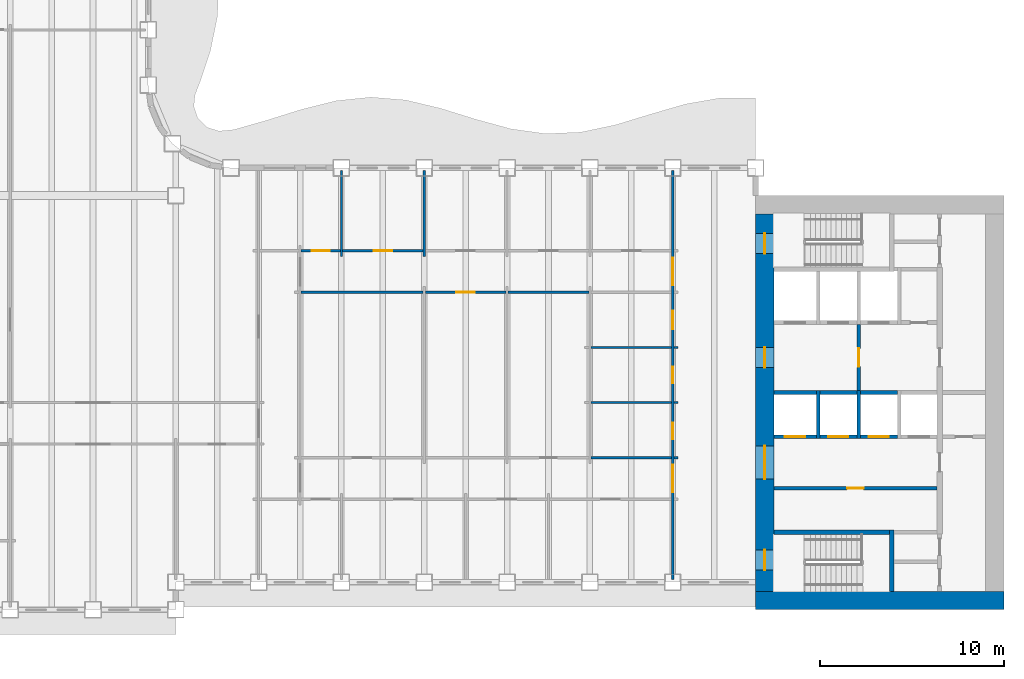
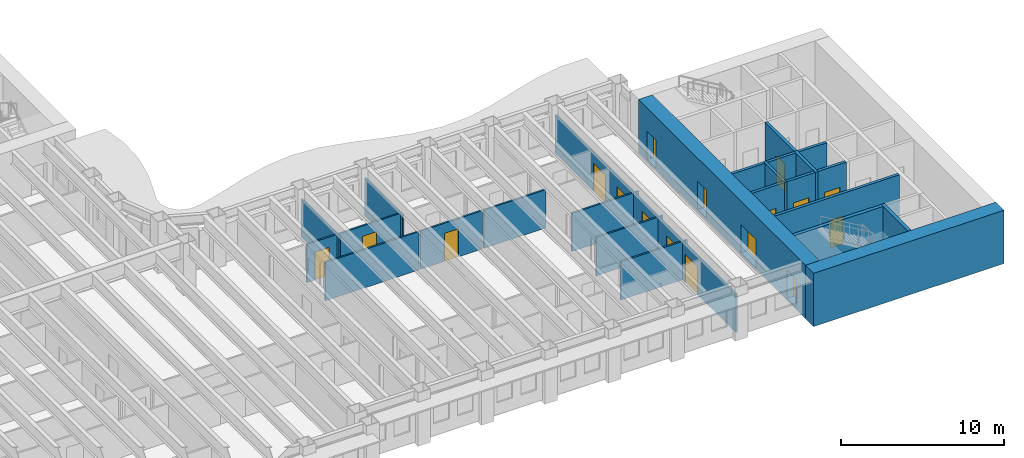
# One storey, part 6 of 16: 28 walls, 17 doors, 17 openings.
"""IFC4 building model written with IfcOpenShell, lengths in metres."""

from ifc_helpers import new_model, si_unit, direction, frame, frame_2d, origin, place, context, subcontext, project, spatial, rectangle, extrude, material, layer, layer_set, type_object, element, fill, save


model = new_model("IFC4")

# Units and contexts
model_context = context("Model", 3, precision=1e-05, world=origin(), true_north=direction((0.0, 1.0)))
body_context = subcontext(model_context, "Body", "Model", "MODEL_VIEW")
ifc_project = project(units=[si_unit("LENGTHUNIT", "METRE"), si_unit("AREAUNIT", "SQUARE_METRE"), si_unit("VOLUMEUNIT", "CUBIC_METRE"), si_unit("PLANEANGLEUNIT", "RADIAN"), si_unit("MASSUNIT", "GRAM", prefix="KILO")], contexts=[model_context])

# Site, building, storey
site_placement = place(None, origin())
site = spatial("IfcSite", under=ifc_project, at=site_placement, CompositionType="ELEMENT")
building_placement = place(site_placement, origin())
building = spatial("IfcBuilding", under=site, at=building_placement, Name="Sennacour Bend Tower", CompositionType="ELEMENT")
storey_placement = place(building_placement, frame((0.0, 0.0, 179.0)))
storey = spatial("IfcBuildingStorey", under=building, at=storey_placement, Name="L41", CompositionType="ELEMENT", Elevation=179.0)

# Wall
ifc_material_1 = material(Name="Concrete C60/75", Category="concrete")
ifc_layer_1 = layer(ifc_material_1, 1.0, Name="Concrete C60/75", Category="concrete")
ifc_layer_set_1 = layer_set([ifc_layer_1], Name="Concrete C60/75")
wall_type_1 = type_object("IfcWallType", Name="Core wall 1000 C60/75", PredefinedType="SHEAR", material=ifc_layer_set_1)
wall_1_placement = place(storey_placement, frame((67.5, 0.5, -0.14990234375), z_axis=(0.0, 0.0, 1.0), x_axis=(-1.0, 0.0, 0.0)))
element("IfcWall", 1, at=wall_1_placement, inside=storey, type_object=wall_type_1, Name="Core A wall L41 S", PredefinedType="SHEAR", context=body_context, shape_type="SweptSolid", body=[
    extrude(rectangle(XDim=13.5, YDim=1.0, at=frame_2d((6.75, 0.0))), origin(), (0.0, 0.0, 1.0), 4.0),
])

# Wall, openings, doors
wall_2_placement = place(storey_placement, frame((54.5, 1.0, -0.14990234375), z_axis=(0.0, 0.0, 1.0), x_axis=(0.0, 1.0, 0.0)))
wall_2 = element("IfcWall", 2, at=wall_2_placement, inside=storey, type_object=wall_type_1, Name="Core A wall L41 W", PredefinedType="SHEAR", context=body_context, shape_type="SweptSolid", body=[
    extrude(rectangle(XDim=20.5, YDim=1.0, at=frame_2d((10.25, 0.0))), origin(), (0.0, 0.0, 1.0), 4.0),
])
opening_1_placement = place(wall_2_placement, frame((6.10009765625, 0.0, 0.14990234375)))
opening_1 = element("IfcOpeningElement", 3, at=opening_1_placement, cuts=wall_2, Name="Opening CD", PredefinedType="OPENING", context=body_context, shape_type="SweptSolid", body=[
    extrude(rectangle(XDim=1.800048828125, YDim=2.10009765625, at=frame_2d((0.89990234375, 1.050048828125))), frame((0.0, 0.510009765625, 0.0), z_axis=(0.0, -1.0, 0.0), x_axis=(1.0, 0.0, 0.0)), (0.0, 0.0, 1.0), 1.02001953125),
])
opening_2_placement = place(wall_2_placement, frame((12.14990234375, 0.0, 0.14990234375)))
opening_2 = element("IfcOpeningElement", 4, at=opening_2_placement, cuts=wall_2, Name="Opening FD", PredefinedType="OPENING", context=body_context, shape_type="SweptSolid", body=[
    extrude(rectangle(XDim=1.10009765625, YDim=2.10009765625, at=frame_2d((0.550048828125, 1.050048828125))), frame((0.0, 0.510009765625, 0.0), z_axis=(0.0, -1.0, 0.0), x_axis=(1.0, 0.0, 0.0)), (0.0, 0.0, 1.0), 1.02001953125),
])
opening_3_placement = place(wall_2_placement, frame((1.14990234375, 0.0, 0.14990234375)))
opening_3 = element("IfcOpeningElement", 5, at=opening_3_placement, cuts=wall_2, Name="Opening SD", PredefinedType="OPENING", context=body_context, shape_type="SweptSolid", body=[
    extrude(rectangle(XDim=1.10009765625, YDim=2.10009765625, at=frame_2d((0.550048828125, 1.050048828125))), frame((0.0, 0.510009765625, 0.0), z_axis=(0.0, -1.0, 0.0), x_axis=(1.0, 0.0, 0.0)), (0.0, 0.0, 1.0), 1.02001953125),
])
opening_4_placement = place(wall_2_placement, frame((18.35009765625, 0.0, 0.14990234375)))
opening_4 = element("IfcOpeningElement", 6, at=opening_4_placement, cuts=wall_2, Name="Opening SD", PredefinedType="OPENING", context=body_context, shape_type="SweptSolid", body=[
    extrude(rectangle(XDim=1.10009765625, YDim=2.10009765625, at=frame_2d((0.550048828125, 1.050048828125))), frame((0.0, 0.510009765625, 0.0), z_axis=(0.0, -1.0, 0.0), x_axis=(1.0, 0.0, 0.0)), (0.0, 0.0, 1.0), 1.02001953125),
])
ifc_material_2 = material(Name="Painted steel", Category="steel")
door_type_1 = type_object("IfcDoorType", Name="DR-FFL-1100", OperationType="NOTDEFINED", PredefinedType="DOOR", material=ifc_material_2)
door_1_placement = place(opening_2_placement, origin())
door_1 = element("IfcDoor", 7, at=door_1_placement, inside=storey, type_object=door_type_1, Name="Door", OperationType="SINGLE_SWING_RIGHT", OverallHeight=2.10009765625, OverallWidth=1.10009765625, PredefinedType="DOOR", context=body_context, shape_type="SweptSolid", body=[
    extrude(rectangle(XDim=1.10009765625, YDim=2.10009765625, at=frame_2d((0.550048828125, 1.050048828125))), frame((0.0, 0.02490234375, 0.0), z_axis=(0.0, -1.0, 0.0), x_axis=(1.0, 0.0, 0.0)), (0.0, 0.0, 1.0), 0.050048828125),
])
fill(opening_2, door_1)
door_type_2 = type_object("IfcDoorType", Name="DR-LOBBY-1800", OperationType="NOTDEFINED", PredefinedType="DOOR", material=ifc_material_2)
door_2_placement = place(opening_1_placement, origin())
door_2 = element("IfcDoor", 8, at=door_2_placement, inside=storey, type_object=door_type_2, Name="Door", OperationType="DOUBLE_DOOR_SINGLE_SWING", OverallHeight=2.10009765625, OverallWidth=1.800048828125, PredefinedType="DOOR", context=body_context, shape_type="SweptSolid", body=[
    extrude(rectangle(XDim=1.800048828125, YDim=2.10009765625, at=frame_2d((0.89990234375, 1.050048828125))), frame((0.0, 0.02490234375, 0.0), z_axis=(0.0, -1.0, 0.0), x_axis=(1.0, 0.0, 0.0)), (0.0, 0.0, 1.0), 0.050048828125),
])
fill(opening_1, door_2)
door_type_3 = type_object("IfcDoorType", Name="DR-STAIR-1100", OperationType="NOTDEFINED", PredefinedType="DOOR", material=ifc_material_2)
door_3_placement = place(opening_3_placement, origin())
door_3 = element("IfcDoor", 9, at=door_3_placement, inside=storey, type_object=door_type_3, Name="Door", OperationType="SINGLE_SWING_LEFT", OverallHeight=2.10009765625, OverallWidth=1.10009765625, PredefinedType="DOOR", context=body_context, shape_type="SweptSolid", body=[
    extrude(rectangle(XDim=1.10009765625, YDim=2.10009765625, at=frame_2d((0.550048828125, 1.050048828125))), frame((0.0, 0.02490234375, 0.0), z_axis=(0.0, -1.0, 0.0), x_axis=(1.0, 0.0, 0.0)), (0.0, 0.0, 1.0), 0.050048828125),
])
fill(opening_3, door_3)
door_4_placement = place(opening_4_placement, origin())
door_4 = element("IfcDoor", 10, at=door_4_placement, inside=storey, type_object=door_type_3, Name="Door", OperationType="SINGLE_SWING_RIGHT", OverallHeight=2.10009765625, OverallWidth=1.10009765625, PredefinedType="DOOR", context=body_context, shape_type="SweptSolid", body=[
    extrude(rectangle(XDim=1.10009765625, YDim=2.10009765625, at=frame_2d((0.550048828125, 1.050048828125))), frame((0.0, 0.02490234375, 0.0), z_axis=(0.0, -1.0, 0.0), x_axis=(1.0, 0.0, 0.0)), (0.0, 0.0, 1.0), 0.050048828125),
])
fill(opening_4, door_4)

# Walls
ifc_material_3 = material(Name="Plasterboard partition on steel studs", Category="steel")
ifc_layer_2 = layer(ifc_material_3, 0.1201171875, Name="Plasterboard partition on steel studs", Category="steel")
ifc_layer_set_2 = layer_set([ifc_layer_2], Name="Plasterboard partition on steel studs")
wall_type_2 = type_object("IfcWallType", Name="Partition 120", PredefinedType="PARTITIONING", material=ifc_layer_set_2)
for number, where, z_axis, x_axis, name in (
    (11, (31.5, 19.199951171875, 0.0), (0.0, 0.0, 1.0), (0.0, 1.0, 0.0), "P-L41-W029a"),
    (12, (36.0, 19.199951171875, 0.0), (0.0, 0.0, 1.0), (0.0, 1.0, 0.0), "P-L41-W031a"),
):
    element("IfcWall", number, at=place(storey_placement, frame(where, z_axis=z_axis, x_axis=x_axis)), inside=storey, type_object=wall_type_2, Name=name, PredefinedType="PARTITIONING", context=body_context, shape_type="SweptSolid", body=[
        extrude(rectangle(XDim=4.650146484375, YDim=0.1201171875, at=frame_2d((2.3251953125, 0.0))), origin(), (0.0, 0.0, 1.0), 2.8701171875),
    ])
wall_3_placement = place(storey_placement, frame((45.06005859375, 8.25, 0.0), z_axis=(0.0, 0.0, 1.0), x_axis=(1.0, 0.0, 0.0)))
element("IfcWall", 13, at=wall_3_placement, inside=storey, type_object=wall_type_2, Name="P-L41-W063ae", PredefinedType="PARTITIONING", context=body_context, shape_type="SweptSolid", body=[
    extrude(rectangle(XDim=4.3798828125, YDim=0.1201171875, at=frame_2d((2.18994140625, 0.0))), origin(), (0.0, 0.0, 1.0), 2.8701171875),
])
wall_4_placement = place(storey_placement, frame((49.56005859375, 8.25, 0.0), z_axis=(0.0, 0.0, 1.0), x_axis=(1.0, 0.0, 0.0)))
element("IfcWall", 14, at=wall_4_placement, inside=storey, type_object=wall_type_2, Name="P-L41-W063af", PredefinedType="PARTITIONING", context=body_context, shape_type="SweptSolid", body=[
    extrude(rectangle(XDim=0.239990234375, YDim=0.1201171875, at=frame_2d((0.1201171875, 0.0))), origin(), (0.0, 0.0, 1.0), 2.8701171875),
])
wall_5_placement = place(storey_placement, frame((45.06005859375, 11.25, 0.0), z_axis=(0.0, 0.0, 1.0), x_axis=(1.0, 0.0, 0.0)))
element("IfcWall", 15, at=wall_5_placement, inside=storey, type_object=wall_type_2, Name="P-L41-W068ab", PredefinedType="PARTITIONING", context=body_context, shape_type="SweptSolid", body=[
    extrude(rectangle(XDim=4.3798828125, YDim=0.1201171875, at=frame_2d((2.18994140625, 0.0))), origin(), (0.0, 0.0, 1.0), 2.8701171875),
])
wall_6_placement = place(storey_placement, frame((49.56005859375, 11.25, 0.0), z_axis=(0.0, 0.0, 1.0), x_axis=(1.0, 0.0, 0.0)))
element("IfcWall", 16, at=wall_6_placement, inside=storey, type_object=wall_type_2, Name="P-L41-W068ac", PredefinedType="PARTITIONING", context=body_context, shape_type="SweptSolid", body=[
    extrude(rectangle(XDim=0.239990234375, YDim=0.1201171875, at=frame_2d((0.1201171875, 0.0))), origin(), (0.0, 0.0, 1.0), 2.8701171875),
])
wall_7_placement = place(storey_placement, frame((45.06005859375, 14.25, 0.0), z_axis=(0.0, 0.0, 1.0), x_axis=(1.0, 0.0, 0.0)))
element("IfcWall", 17, at=wall_7_placement, inside=storey, type_object=wall_type_2, Name="P-L41-W071ab", PredefinedType="PARTITIONING", context=body_context, shape_type="SweptSolid", body=[
    extrude(rectangle(XDim=4.3798828125, YDim=0.1201171875, at=frame_2d((2.18994140625, 0.0))), origin(), (0.0, 0.0, 1.0), 2.8701171875),
])
wall_8_placement = place(storey_placement, frame((49.56005859375, 14.25, 0.0), z_axis=(0.0, 0.0, 1.0), x_axis=(1.0, 0.0, 0.0)))
element("IfcWall", 18, at=wall_8_placement, inside=storey, type_object=wall_type_2, Name="P-L41-W071ac", PredefinedType="PARTITIONING", context=body_context, shape_type="SweptSolid", body=[
    extrude(rectangle(XDim=0.239990234375, YDim=0.1201171875, at=frame_2d((0.1201171875, 0.0))), origin(), (0.0, 0.0, 1.0), 2.8701171875),
])
wall_9_placement = place(storey_placement, frame((29.31005859375, 17.25, 0.0), z_axis=(0.0, 0.0, 1.0), x_axis=(1.0, 0.0, 0.0)))
element("IfcWall", 19, at=wall_9_placement, inside=storey, type_object=wall_type_2, Name="P-L41-W075ab", PredefinedType="PARTITIONING", context=body_context, shape_type="SweptSolid", body=[
    extrude(rectangle(XDim=6.6298828125, YDim=0.1201171875, at=frame_2d((3.31494140625, 0.0))), origin(), (0.0, 0.0, 1.0), 2.8701171875),
])

# Wall, opening, door
wall_10_placement = place(storey_placement, frame((36.06005859375, 17.25, 0.0), z_axis=(0.0, 0.0, 1.0), x_axis=(1.0, 0.0, 0.0)))
wall_10 = element("IfcWall", 20, at=wall_10_placement, inside=storey, type_object=wall_type_2, Name="P-L41-W075ac", PredefinedType="PARTITIONING", context=body_context, shape_type="SweptSolid", body=[
    extrude(rectangle(XDim=4.3798828125, YDim=0.1201171875, at=frame_2d((2.18994140625, 0.0))), origin(), (0.0, 0.0, 1.0), 2.8701171875),
])
opening_5_placement = place(wall_10_placement, frame((1.68994140625, 0.0, 0.0)))
opening_5 = element("IfcOpeningElement", 21, at=opening_5_placement, cuts=wall_10, Name="Opening OD2", PredefinedType="OPENING", context=body_context, shape_type="SweptSolid", body=[
    extrude(rectangle(XDim=1.0, YDim=2.10009765625, at=frame_2d((0.5, 1.050048828125))), frame((0.0, 0.070068359375, 0.0), z_axis=(0.0, -1.0, 0.0), x_axis=(1.0, 0.0, 0.0)), (0.0, 0.0, 1.0), 0.14013671875),
])
ifc_material_4 = material(Name="Timber", Category="wood")
door_type_4 = type_object("IfcDoorType", Name="DR-OFFICE-1000", OperationType="NOTDEFINED", PredefinedType="DOOR", material=ifc_material_4)
door_5_placement = place(opening_5_placement, origin())
door_5 = element("IfcDoor", 22, at=door_5_placement, inside=storey, type_object=door_type_4, Name="Door", OperationType="SINGLE_SWING_LEFT", OverallHeight=2.10009765625, OverallWidth=1.0, PredefinedType="DOOR", context=body_context, shape_type="SweptSolid", body=[
    extrude(rectangle(XDim=1.0, YDim=2.10009765625, at=frame_2d((0.5, 1.050048828125))), frame((0.0, 0.02490234375, 0.0), z_axis=(0.0, -1.0, 0.0), x_axis=(1.0, 0.0, 0.0)), (0.0, 0.0, 1.0), 0.050048828125),
])
fill(opening_5, door_5)

# Wall
wall_11_placement = place(storey_placement, frame((40.56005859375, 17.25, 0.0), z_axis=(0.0, 0.0, 1.0), x_axis=(1.0, 0.0, 0.0)))
element("IfcWall", 23, at=wall_11_placement, inside=storey, type_object=wall_type_2, Name="P-L41-W075ad", PredefinedType="PARTITIONING", context=body_context, shape_type="SweptSolid", body=[
    extrude(rectangle(XDim=4.3798828125, YDim=0.1201171875, at=frame_2d((2.18994140625, 0.0))), origin(), (0.0, 0.0, 1.0), 2.8701171875),
])

# Wall, opening, door
wall_12_placement = place(storey_placement, frame((29.31005859375, 19.5, 0.0), z_axis=(0.0, 0.0, 1.0), x_axis=(1.0, 0.0, 0.0)))
wall_12 = element("IfcWall", 24, at=wall_12_placement, inside=storey, type_object=wall_type_2, Name="P-L41-W079ac", PredefinedType="PARTITIONING", context=body_context, shape_type="SweptSolid", body=[
    extrude(rectangle(XDim=2.1298828125, YDim=0.1201171875, at=frame_2d((1.06494140625, 0.0))), origin(), (0.0, 0.0, 1.0), 2.8701171875),
])
opening_6_placement = place(wall_12_placement, frame((0.56494140625, 0.0, 0.0)))
opening_6 = element("IfcOpeningElement", 25, at=opening_6_placement, cuts=wall_12, Name="Opening OD2", PredefinedType="OPENING", context=body_context, shape_type="SweptSolid", body=[
    extrude(rectangle(XDim=1.0, YDim=2.10009765625, at=frame_2d((0.5, 1.050048828125))), frame((0.0, 0.070068359375, 0.0), z_axis=(0.0, -1.0, 0.0), x_axis=(1.0, 0.0, 0.0)), (0.0, 0.0, 1.0), 0.14013671875),
])
door_6_placement = place(opening_6_placement, origin())
door_6 = element("IfcDoor", 26, at=door_6_placement, inside=storey, type_object=door_type_4, Name="Door", OperationType="SINGLE_SWING_LEFT", OverallHeight=2.10009765625, OverallWidth=1.0, PredefinedType="DOOR", context=body_context, shape_type="SweptSolid", body=[
    extrude(rectangle(XDim=1.0, YDim=2.10009765625, at=frame_2d((0.5, 1.050048828125))), frame((0.0, 0.02490234375, 0.0), z_axis=(0.0, -1.0, 0.0), x_axis=(1.0, 0.0, 0.0)), (0.0, 0.0, 1.0), 0.050048828125),
])
fill(opening_6, door_6)

wall_13_placement = place(storey_placement, frame((31.56005859375, 19.5, 0.0), z_axis=(0.0, 0.0, 1.0), x_axis=(1.0, 0.0, 0.0)))
wall_13 = element("IfcWall", 27, at=wall_13_placement, inside=storey, type_object=wall_type_2, Name="P-L41-W079ad", PredefinedType="PARTITIONING", context=body_context, shape_type="SweptSolid", body=[
    extrude(rectangle(XDim=4.3798828125, YDim=0.1201171875, at=frame_2d((2.18994140625, 0.0))), origin(), (0.0, 0.0, 1.0), 2.8701171875),
])
opening_7_placement = place(wall_13_placement, frame((1.68994140625, 0.0, 0.0)))
opening_7 = element("IfcOpeningElement", 28, at=opening_7_placement, cuts=wall_13, Name="Opening OD2", PredefinedType="OPENING", context=body_context, shape_type="SweptSolid", body=[
    extrude(rectangle(XDim=1.0, YDim=2.10009765625, at=frame_2d((0.5, 1.050048828125))), frame((0.0, 0.070068359375, 0.0), z_axis=(0.0, -1.0, 0.0), x_axis=(1.0, 0.0, 0.0)), (0.0, 0.0, 1.0), 0.14013671875),
])
door_7_placement = place(opening_7_placement, origin())
door_7 = element("IfcDoor", 29, at=door_7_placement, inside=storey, type_object=door_type_4, Name="Door", OperationType="SINGLE_SWING_LEFT", OverallHeight=2.10009765625, OverallWidth=1.0, PredefinedType="DOOR", context=body_context, shape_type="SweptSolid", body=[
    extrude(rectangle(XDim=1.0, YDim=2.10009765625, at=frame_2d((0.5, 1.050048828125))), frame((0.0, 0.02490234375, 0.0), z_axis=(0.0, -1.0, 0.0), x_axis=(1.0, 0.0, 0.0)), (0.0, 0.0, 1.0), 0.050048828125),
])
fill(opening_7, door_7)

# Wall, openings, doors
ifc_layer_3 = layer(ifc_material_3, 0.1201171875, Name="Plasterboard partition on steel studs", Category="steel")
ifc_layer_set_3 = layer_set([ifc_layer_3], Name="Plasterboard partition on steel studs")
wall_type_3 = type_object("IfcWallType", Name="Partition 120 EI 30", PredefinedType="PARTITIONING", material=ifc_layer_set_3)
wall_14_placement = place(storey_placement, frame((49.5, 1.64990234375, 0.0), z_axis=(0.0, 0.0, 1.0), x_axis=(0.0, 1.0, 0.0)))
wall_14 = element("IfcWall", 30, at=wall_14_placement, inside=storey, type_object=wall_type_3, Name="P-L41-W038a", PredefinedType="PARTITIONING", context=body_context, shape_type="SweptSolid", body=[
    extrude(rectangle(XDim=22.2001953125, YDim=0.1201171875, at=frame_2d((11.10009765625, 0.0))), origin(), (0.0, 0.0, 1.0), 2.8701171875),
])
opening_8_placement = place(wall_14_placement, frame((4.72509765625, 0.0, 0.0)))
opening_8 = element("IfcOpeningElement", 31, at=opening_8_placement, cuts=wall_14, Name="Opening KD", PredefinedType="OPENING", context=body_context, shape_type="SweptSolid", body=[
    extrude(rectangle(XDim=1.5, YDim=2.10009765625, at=frame_2d((0.75, 1.050048828125))), frame((0.0, 0.070068359375, 0.0), z_axis=(0.0, -1.0, 0.0), x_axis=(1.0, 0.0, 0.0)), (0.0, 0.0, 1.0), 0.14013671875),
])
opening_9_placement = place(wall_14_placement, frame((15.97509765625, 0.0, 0.0)))
opening_9 = element("IfcOpeningElement", 32, at=opening_9_placement, cuts=wall_14, Name="Opening KD", PredefinedType="OPENING", context=body_context, shape_type="SweptSolid", body=[
    extrude(rectangle(XDim=1.5, YDim=2.10009765625, at=frame_2d((0.75, 1.050048828125))), frame((0.0, 0.070068359375, 0.0), z_axis=(0.0, -1.0, 0.0), x_axis=(1.0, 0.0, 0.0)), (0.0, 0.0, 1.0), 0.14013671875),
])
opening_10_placement = place(wall_14_placement, frame((7.60009765625, 0.0, 0.0)))
opening_10 = element("IfcOpeningElement", 33, at=opening_10_placement, cuts=wall_14, Name="Opening WD", PredefinedType="OPENING", context=body_context, shape_type="SweptSolid", body=[
    extrude(rectangle(XDim=0.89990234375, YDim=2.10009765625, at=frame_2d((0.449951171875, 1.050048828125))), frame((0.0, 0.070068359375, 0.0), z_axis=(0.0, -1.0, 0.0), x_axis=(1.0, 0.0, 0.0)), (0.0, 0.0, 1.0), 0.14013671875),
])
opening_11_placement = place(wall_14_placement, frame((10.650146484375, 0.0, 0.0)))
opening_11 = element("IfcOpeningElement", 34, at=opening_11_placement, cuts=wall_14, Name="Opening WD", PredefinedType="OPENING", context=body_context, shape_type="SweptSolid", body=[
    extrude(rectangle(XDim=0.89990234375, YDim=2.10009765625, at=frame_2d((0.449951171875, 1.050048828125))), frame((0.0, 0.070068359375, 0.0), z_axis=(0.0, -1.0, 0.0), x_axis=(1.0, 0.0, 0.0)), (0.0, 0.0, 1.0), 0.14013671875),
])
opening_12_placement = place(wall_14_placement, frame((13.60009765625, 0.0, 0.0)))
opening_12 = element("IfcOpeningElement", 35, at=opening_12_placement, cuts=wall_14, Name="Opening AD", PredefinedType="OPENING", context=body_context, shape_type="SweptSolid", body=[
    extrude(rectangle(XDim=1.0, YDim=2.10009765625, at=frame_2d((0.5, 1.050048828125))), frame((0.0, 0.070068359375, 0.0), z_axis=(0.0, -1.0, 0.0), x_axis=(1.0, 0.0, 0.0)), (0.0, 0.0, 1.0), 0.14013671875),
])
door_type_5 = type_object("IfcDoorType", Name="DR-ACC-WC-1000", OperationType="NOTDEFINED", PredefinedType="DOOR", material=ifc_material_4)
door_8_placement = place(opening_12_placement, origin())
door_8 = element("IfcDoor", 36, at=door_8_placement, inside=storey, type_object=door_type_5, Name="Door", OperationType="SINGLE_SWING_RIGHT", OverallHeight=2.10009765625, OverallWidth=1.0, PredefinedType="DOOR", context=body_context, shape_type="SweptSolid", body=[
    extrude(rectangle(XDim=1.0, YDim=2.10009765625, at=frame_2d((0.5, 1.050048828125))), frame((0.0, 0.02490234375, 0.0), z_axis=(0.0, -1.0, 0.0), x_axis=(1.0, 0.0, 0.0)), (0.0, 0.0, 1.0), 0.050048828125),
])
fill(opening_12, door_8)
door_type_6 = type_object("IfcDoorType", Name="DR-CORRIDOR-1500", OperationType="NOTDEFINED", PredefinedType="DOOR", material=ifc_material_2)
door_9_placement = place(opening_8_placement, origin())
door_9 = element("IfcDoor", 37, at=door_9_placement, inside=storey, type_object=door_type_6, Name="Door", OperationType="SINGLE_SWING_LEFT", OverallHeight=2.10009765625, OverallWidth=1.5, PredefinedType="DOOR", context=body_context, shape_type="SweptSolid", body=[
    extrude(rectangle(XDim=1.5, YDim=2.10009765625, at=frame_2d((0.75, 1.050048828125))), frame((0.0, 0.02490234375, 0.0), z_axis=(0.0, -1.0, 0.0), x_axis=(1.0, 0.0, 0.0)), (0.0, 0.0, 1.0), 0.050048828125),
])
fill(opening_8, door_9)
door_10_placement = place(opening_9_placement, origin())
door_10 = element("IfcDoor", 38, at=door_10_placement, inside=storey, type_object=door_type_6, Name="Door", OperationType="SINGLE_SWING_RIGHT", OverallHeight=2.10009765625, OverallWidth=1.5, PredefinedType="DOOR", context=body_context, shape_type="SweptSolid", body=[
    extrude(rectangle(XDim=1.5, YDim=2.10009765625, at=frame_2d((0.75, 1.050048828125))), frame((0.0, 0.02490234375, 0.0), z_axis=(0.0, -1.0, 0.0), x_axis=(1.0, 0.0, 0.0)), (0.0, 0.0, 1.0), 0.050048828125),
])
fill(opening_9, door_10)
door_type_7 = type_object("IfcDoorType", Name="DR-WC-900", OperationType="NOTDEFINED", PredefinedType="DOOR", material=ifc_material_4)
door_11_placement = place(opening_10_placement, origin())
door_11 = element("IfcDoor", 39, at=door_11_placement, inside=storey, type_object=door_type_7, Name="Door", OperationType="SINGLE_SWING_LEFT", OverallHeight=2.10009765625, OverallWidth=0.89990234375, PredefinedType="DOOR", context=body_context, shape_type="SweptSolid", body=[
    extrude(rectangle(XDim=0.89990234375, YDim=2.10009765625, at=frame_2d((0.449951171875, 1.050048828125))), frame((0.0, 0.02490234375, 0.0), z_axis=(0.0, -1.0, 0.0), x_axis=(1.0, 0.0, 0.0)), (0.0, 0.0, 1.0), 0.050048828125),
])
fill(opening_10, door_11)
door_12_placement = place(opening_11_placement, origin())
door_12 = element("IfcDoor", 40, at=door_12_placement, inside=storey, type_object=door_type_7, Name="Door", OperationType="SINGLE_SWING_RIGHT", OverallHeight=2.10009765625, OverallWidth=0.89990234375, PredefinedType="DOOR", context=body_context, shape_type="SweptSolid", body=[
    extrude(rectangle(XDim=0.89990234375, YDim=2.10009765625, at=frame_2d((0.449951171875, 1.050048828125))), frame((0.0, 0.02490234375, 0.0), z_axis=(0.0, -1.0, 0.0), x_axis=(1.0, 0.0, 0.0)), (0.0, 0.0, 1.0), 0.050048828125),
])
fill(opening_11, door_12)

# Wall, opening, door
ifc_material_5 = material(Name="Fire-rated plasterboard partition on steel studs", Category="steel")
ifc_layer_4 = layer(ifc_material_5, 0.199951171875, Name="Fire-rated plasterboard partition on steel studs", Category="steel")
ifc_layer_set_4 = layer_set([ifc_layer_4], Name="Fire-rated plasterboard partition on steel studs")
wall_type_4 = type_object("IfcWallType", Name="Rated partition 200", PredefinedType="PARTITIONING", material=ifc_layer_set_4)
wall_15_placement = place(storey_placement, frame((55.0, 6.60009765625, 0.0), z_axis=(0.0, 0.0, 1.0), x_axis=(1.0, 0.0, 0.0)))
wall_15 = element("IfcWall", 41, at=wall_15_placement, inside=storey, type_object=wall_type_4, Name="P-L41-W062", PredefinedType="PARTITIONING", context=body_context, shape_type="SweptSolid", body=[
    extrude(rectangle(XDim=8.85009765625, YDim=0.199951171875, at=frame_2d((4.425048828125, 0.0))), origin(), (0.0, 0.0, 1.0), 3.85009765625),
])
opening_13_placement = place(wall_15_placement, frame((3.97509765625, 0.0, 0.0)))
opening_13 = element("IfcOpeningElement", 42, at=opening_13_placement, cuts=wall_15, Name="Opening SV", PredefinedType="OPENING", context=body_context, shape_type="SweptSolid", body=[
    extrude(rectangle(XDim=0.89990234375, YDim=2.10009765625, at=frame_2d((0.449951171875, 1.050048828125))), frame((0.0, 0.10986328125, 0.0), z_axis=(0.0, -1.0, 0.0), x_axis=(1.0, 0.0, 0.0)), (0.0, 0.0, 1.0), 0.219970703125),
])
door_type_8 = type_object("IfcDoorType", Name="DR-SERVICE-900", OperationType="NOTDEFINED", PredefinedType="DOOR", material=ifc_material_2)
door_13_placement = place(opening_13_placement, origin())
door_13 = element("IfcDoor", 43, at=door_13_placement, inside=storey, type_object=door_type_8, Name="Door", OperationType="SINGLE_SWING_LEFT", OverallHeight=2.10009765625, OverallWidth=0.89990234375, PredefinedType="DOOR", context=body_context, shape_type="SweptSolid", body=[
    extrude(rectangle(XDim=0.89990234375, YDim=2.10009765625, at=frame_2d((0.449951171875, 1.050048828125))), frame((0.0, 0.02490234375, 0.0), z_axis=(0.0, -1.0, 0.0), x_axis=(1.0, 0.0, 0.0)), (0.0, 0.0, 1.0), 0.050048828125),
])
fill(opening_13, door_13)

ifc_layer_5 = layer(ifc_material_5, 0.199951171875, Name="Fire-rated plasterboard partition on steel studs", Category="steel")
ifc_layer_set_5 = layer_set([ifc_layer_5], Name="Fire-rated plasterboard partition on steel studs")
wall_type_5 = type_object("IfcWallType", Name="Rated partition 200 EI 90", PredefinedType="PARTITIONING", material=ifc_layer_set_5)
wall_16_placement = place(storey_placement, frame((59.60009765625, 11.89990234375, 0.0), z_axis=(0.0, 0.0, 1.0), x_axis=(0.0, 1.0, 0.0)))
wall_16 = element("IfcWall", 44, at=wall_16_placement, inside=storey, type_object=wall_type_5, Name="P-L41-W043", PredefinedType="PARTITIONING", context=body_context, shape_type="SweptSolid", body=[
    extrude(rectangle(XDim=3.60009765625, YDim=0.199951171875, at=frame_2d((1.800048828125, 0.0))), origin(), (0.0, 0.0, 1.0), 3.85009765625),
])
opening_14_placement = place(wall_16_placement, frame((1.300048828125, 0.0, 0.0)))
opening_14 = element("IfcOpeningElement", 45, at=opening_14_placement, cuts=wall_16, Name="Opening FD2", PredefinedType="OPENING", context=body_context, shape_type="SweptSolid", body=[
    extrude(rectangle(XDim=1.0, YDim=2.10009765625, at=frame_2d((0.5, 1.050048828125))), frame((0.0, 0.10986328125, 0.0), z_axis=(0.0, -1.0, 0.0), x_axis=(1.0, 0.0, 0.0)), (0.0, 0.0, 1.0), 0.219970703125),
])
door_type_9 = type_object("IfcDoorType", Name="DR-FFL-1000", OperationType="NOTDEFINED", PredefinedType="DOOR", material=ifc_material_2)
door_14_placement = place(opening_14_placement, origin())
door_14 = element("IfcDoor", 46, at=door_14_placement, inside=storey, type_object=door_type_9, Name="Door", OperationType="SINGLE_SWING_LEFT", OverallHeight=2.10009765625, OverallWidth=1.0, PredefinedType="DOOR", context=body_context, shape_type="SweptSolid", body=[
    extrude(rectangle(XDim=1.0, YDim=2.10009765625, at=frame_2d((0.5, 1.050048828125))), frame((0.0, 0.02490234375, 0.0), z_axis=(0.0, -1.0, 0.0), x_axis=(1.0, 0.0, 0.0)), (0.0, 0.0, 1.0), 0.050048828125),
])
fill(opening_14, door_14)

# Walls
ifc_material_6 = material(Name="Concrete C50/60", Category="concrete")
ifc_layer_6 = layer(ifc_material_6, 0.199951171875, Name="Concrete C50/60", Category="concrete")
ifc_layer_set_6 = layer_set([ifc_layer_6], Name="Concrete C50/60")
wall_type_6 = type_object("IfcWallType", Name="Shaft wall 200", PredefinedType="SOLIDWALL", material=ifc_layer_set_6)
for number, where, z_axis, x_axis, name in (
    (47, (57.39990234375, 9.300048828125, 0.0), (0.0, 0.0, 1.0), (0.0, 1.0, 0.0), "P-L41-W040"),
    (48, (59.60009765625, 9.300048828125, 0.0), (0.0, 0.0, 1.0), (0.0, 1.0, 0.0), "P-L41-W042"),
):
    element("IfcWall", number, at=place(storey_placement, frame(where, z_axis=z_axis, x_axis=x_axis)), inside=storey, type_object=wall_type_6, Name=name, PredefinedType="SOLIDWALL", context=body_context, shape_type="SweptSolid", body=[
        extrude(rectangle(XDim=2.599853515625, YDim=0.199951171875, at=frame_2d((1.2998046875, 0.0))), origin(), (0.0, 0.0, 1.0), 3.85009765625),
    ])

# Wall, opening, door
wall_17_placement = place(storey_placement, frame((55.0, 9.39990234375, 0.0), z_axis=(0.0, 0.0, 1.0), x_axis=(1.0, 0.0, 0.0)))
wall_17 = element("IfcWall", 49, at=wall_17_placement, inside=storey, type_object=wall_type_6, Name="P-L41-W065a", PredefinedType="SOLIDWALL", context=body_context, shape_type="SweptSolid", body=[
    extrude(rectangle(XDim=2.300048828125, YDim=0.199951171875, at=frame_2d((1.14990234375, 0.0))), origin(), (0.0, 0.0, 1.0), 3.85009765625),
])
opening_15_placement = place(wall_17_placement, frame((0.60009765625, 0.0, 0.011962890625)))
opening_15 = element("IfcOpeningElement", 50, at=opening_15_placement, cuts=wall_17, Name="Opening LD", PredefinedType="OPENING", context=body_context, shape_type="SweptSolid", body=[
    extrude(rectangle(XDim=1.10009765625, YDim=2.10009765625, at=frame_2d((0.550048828125, 1.050048828125))), frame((0.0, 0.10986328125, 0.0), z_axis=(0.0, -1.0, 0.0), x_axis=(1.0, 0.0, 0.0)), (0.0, 0.0, 1.0), 0.219970703125),
])
ifc_material_7 = material(Name="Stainless steel", Category="steel")
door_type_10 = type_object("IfcDoorType", Name="DR-LANDING-1100", OperationType="NOTDEFINED", PredefinedType="DOOR", material=ifc_material_7)
door_15_placement = place(opening_15_placement, origin())
door_15 = element("IfcDoor", 51, at=door_15_placement, inside=storey, type_object=door_type_10, Name="Lift landing door HA1", OperationType="SLIDING_TO_LEFT", OverallHeight=2.10009765625, OverallWidth=1.10009765625, PredefinedType="DOOR", context=body_context, shape_type="SweptSolid", body=[
    extrude(rectangle(XDim=1.10009765625, YDim=2.10009765625, at=frame_2d((0.550048828125, 1.050048828125))), frame((0.0, 0.02490234375, 0.0), z_axis=(0.0, -1.0, 0.0), x_axis=(1.0, 0.0, 0.0)), (0.0, 0.0, 1.0), 0.050048828125),
])
fill(opening_15, door_15)

wall_18_placement = place(storey_placement, frame((57.5, 9.39990234375, 0.0), z_axis=(0.0, 0.0, 1.0), x_axis=(1.0, 0.0, 0.0)))
wall_18 = element("IfcWall", 52, at=wall_18_placement, inside=storey, type_object=wall_type_6, Name="P-L41-W065b", PredefinedType="SOLIDWALL", context=body_context, shape_type="SweptSolid", body=[
    extrude(rectangle(XDim=2.0, YDim=0.199951171875, at=frame_2d((1.0, 0.0))), origin(), (0.0, 0.0, 1.0), 3.85009765625),
])
opening_16_placement = place(wall_18_placement, frame((0.449951171875, 0.0, 0.011962890625)))
opening_16 = element("IfcOpeningElement", 53, at=opening_16_placement, cuts=wall_18, Name="Opening LD", PredefinedType="OPENING", context=body_context, shape_type="SweptSolid", body=[
    extrude(rectangle(XDim=1.10009765625, YDim=2.10009765625, at=frame_2d((0.550048828125, 1.050048828125))), frame((0.0, 0.10986328125, 0.0), z_axis=(0.0, -1.0, 0.0), x_axis=(1.0, 0.0, 0.0)), (0.0, 0.0, 1.0), 0.219970703125),
])
door_16_placement = place(opening_16_placement, origin())
door_16 = element("IfcDoor", 54, at=door_16_placement, inside=storey, type_object=door_type_10, Name="Lift landing door HA2", OperationType="SLIDING_TO_RIGHT", OverallHeight=2.10009765625, OverallWidth=1.10009765625, PredefinedType="DOOR", context=body_context, shape_type="SweptSolid", body=[
    extrude(rectangle(XDim=1.10009765625, YDim=2.10009765625, at=frame_2d((0.550048828125, 1.050048828125))), frame((0.0, 0.02490234375, 0.0), z_axis=(0.0, -1.0, 0.0), x_axis=(1.0, 0.0, 0.0)), (0.0, 0.0, 1.0), 0.050048828125),
])
fill(opening_16, door_16)

wall_19_placement = place(storey_placement, frame((59.699951171875, 9.39990234375, 0.0), z_axis=(0.0, 0.0, 1.0), x_axis=(1.0, 0.0, 0.0)))
wall_19 = element("IfcWall", 55, at=wall_19_placement, inside=storey, type_object=wall_type_6, Name="P-L41-W065c", PredefinedType="SOLIDWALL", context=body_context, shape_type="SweptSolid", body=[
    extrude(rectangle(XDim=2.0, YDim=0.199951171875, at=frame_2d((1.0, 0.0))), origin(), (0.0, 0.0, 1.0), 3.85009765625),
])
opening_17_placement = place(wall_19_placement, frame((0.449951171875, 0.0, 0.011962890625)))
opening_17 = element("IfcOpeningElement", 56, at=opening_17_placement, cuts=wall_19, Name="Opening LD", PredefinedType="OPENING", context=body_context, shape_type="SweptSolid", body=[
    extrude(rectangle(XDim=1.10009765625, YDim=2.10009765625, at=frame_2d((0.550048828125, 1.050048828125))), frame((0.0, 0.10986328125, 0.0), z_axis=(0.0, -1.0, 0.0), x_axis=(1.0, 0.0, 0.0)), (0.0, 0.0, 1.0), 0.219970703125),
])
door_17_placement = place(opening_17_placement, origin())
door_17 = element("IfcDoor", 57, at=door_17_placement, inside=storey, type_object=door_type_10, Name="Lift landing door HA3", OperationType="SLIDING_TO_LEFT", OverallHeight=2.10009765625, OverallWidth=1.10009765625, PredefinedType="DOOR", context=body_context, shape_type="SweptSolid", body=[
    extrude(rectangle(XDim=1.10009765625, YDim=2.10009765625, at=frame_2d((0.550048828125, 1.050048828125))), frame((0.0, 0.02490234375, 0.0), z_axis=(0.0, -1.0, 0.0), x_axis=(1.0, 0.0, 0.0)), (0.0, 0.0, 1.0), 0.050048828125),
])
fill(opening_17, door_17)

# Walls
wall_20_placement = place(storey_placement, frame((55.0, 11.800048828125, 0.0), z_axis=(0.0, 0.0, 1.0), x_axis=(1.0, 0.0, 0.0)))
element("IfcWall", 58, at=wall_20_placement, inside=storey, type_object=wall_type_6, Name="P-L41-W069a", PredefinedType="SOLIDWALL", context=body_context, shape_type="SweptSolid", body=[
    extrude(rectangle(XDim=2.300048828125, YDim=0.199951171875, at=frame_2d((1.14990234375, 0.0))), origin(), (0.0, 0.0, 1.0), 3.85009765625),
])
for number, where, z_axis, x_axis, name in (
    (59, (57.5, 11.800048828125, 0.0), (0.0, 0.0, 1.0), (1.0, 0.0, 0.0), "P-L41-W069b"),
    (60, (59.699951171875, 11.800048828125, 0.0), (0.0, 0.0, 1.0), (1.0, 0.0, 0.0), "P-L41-W069c"),
):
    element("IfcWall", number, at=place(storey_placement, frame(where, z_axis=z_axis, x_axis=x_axis)), inside=storey, type_object=wall_type_6, Name=name, PredefinedType="SOLIDWALL", context=body_context, shape_type="SweptSolid", body=[
        extrude(rectangle(XDim=2.0, YDim=0.199951171875, at=frame_2d((1.0, 0.0))), origin(), (0.0, 0.0, 1.0), 3.85009765625),
    ])
ifc_layer_7 = layer(ifc_material_1, 0.25, Name="Concrete C60/75", Category="concrete")
ifc_layer_set_7 = layer_set([ifc_layer_7], Name="Concrete C60/75")
wall_type_7 = type_object("IfcWallType", Name="Stair wall 250", PredefinedType="SHEAR", material=ifc_layer_set_7)
wall_21_placement = place(storey_placement, frame((61.39990234375, 1.0, 0.0), z_axis=(0.0, 0.0, 1.0), x_axis=(0.0, 1.0, 0.0)))
element("IfcWall", 61, at=wall_21_placement, inside=storey, type_object=wall_type_7, Name="P-L41-W045", PredefinedType="SHEAR", context=body_context, shape_type="SweptSolid", body=[
    extrude(rectangle(XDim=3.324951171875, YDim=0.25, at=frame_2d((1.66259765625, 0.0))), origin(), (0.0, 0.0, 1.0), 3.85009765625),
])
wall_22_placement = place(storey_placement, frame((55.0, 4.199951171875, 0.0), z_axis=(0.0, 0.0, 1.0), x_axis=(1.0, 0.0, 0.0)))
element("IfcWall", 62, at=wall_22_placement, inside=storey, type_object=wall_type_7, Name="P-L41-W059", PredefinedType="SHEAR", context=body_context, shape_type="SweptSolid", body=[
    extrude(rectangle(XDim=6.27490234375, YDim=0.25, at=frame_2d((3.137451171875, 0.0))), origin(), (0.0, 0.0, 1.0), 3.85009765625),
])

save(model, "model.ifc")
